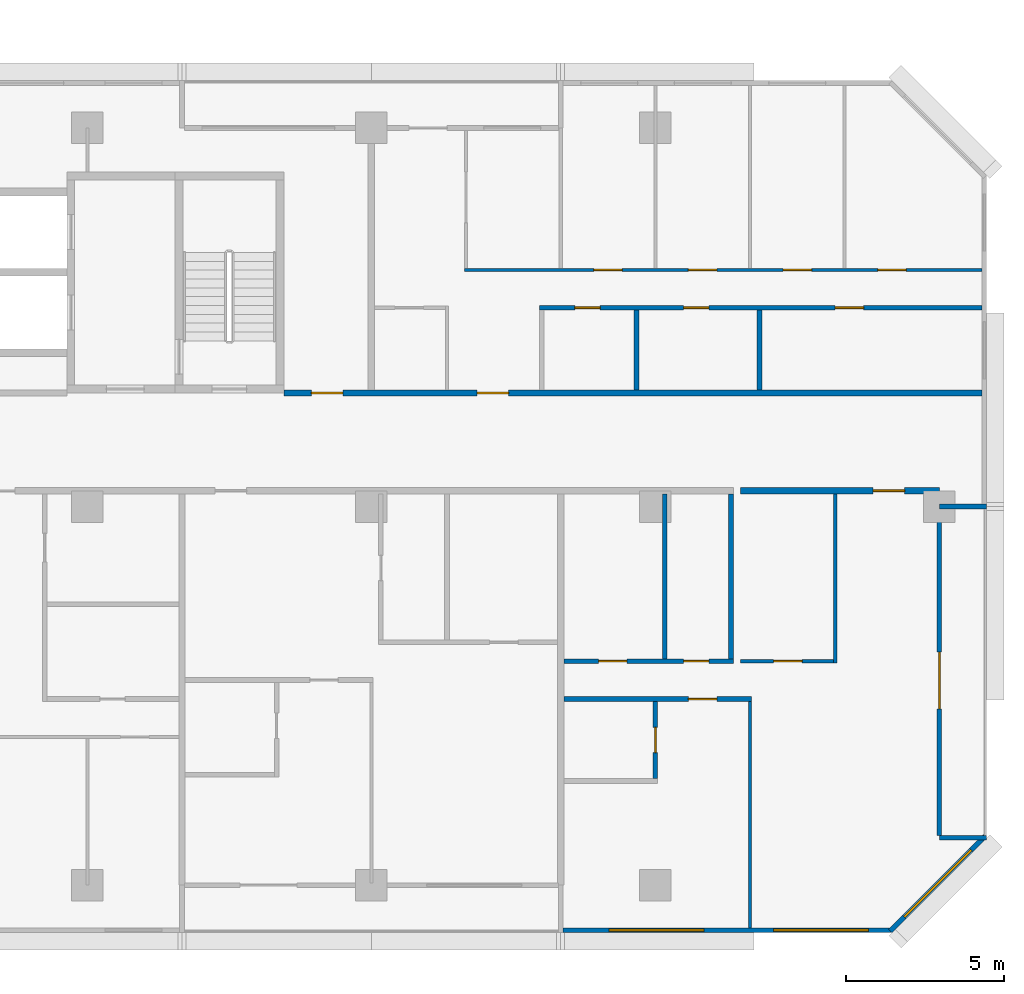
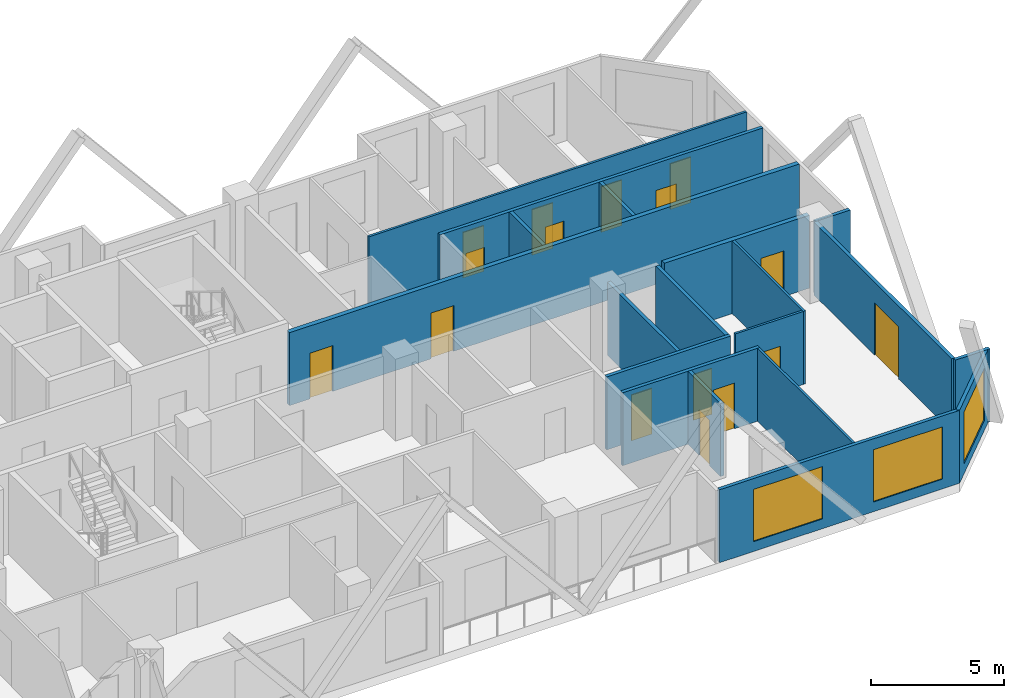
# One storey, part 11 of 14: 19 walls, 16 doors, 3 windows, 19 openings.
"""IFC4 building model written with IfcOpenShell, lengths in metres."""

from ifc_helpers import new_model, si_unit, direction, frame, frame_2d, origin, place, context, subcontext, project, spatial, rectangle, extrude, material, layer, layer_set, type_object, element, fill, save


model = new_model("IFC4")

# Units and contexts
model_context = context("Model", 3, precision=1e-05, world=origin(), true_north=direction((0.0, 1.0)))
body_context = subcontext(model_context, "Body", "Model", "MODEL_VIEW")
ifc_project = project(units=[si_unit("LENGTHUNIT", "METRE"), si_unit("AREAUNIT", "SQUARE_METRE"), si_unit("VOLUMEUNIT", "CUBIC_METRE"), si_unit("PLANEANGLEUNIT", "RADIAN"), si_unit("MASSUNIT", "GRAM", prefix="KILO")], contexts=[model_context])

# Site, building, storey
site_placement = place(None, origin())
site = spatial("IfcSite", under=ifc_project, at=site_placement, CompositionType="ELEMENT")
building_placement = place(site_placement, origin())
building = spatial("IfcBuilding", under=site, at=building_placement, Name="Chenar Terraces", CompositionType="ELEMENT")
storey_placement = place(building_placement, frame((0.0, 0.0, 91.89990234375)))
storey = spatial("IfcBuildingStorey", under=building, at=storey_placement, Name="L20", CompositionType="ELEMENT", Elevation=91.89990234375)

# Wall, openings, doors
ifc_material_1 = material(Name="Gypsum board on steel studs with fire boards", Category="steel")
ifc_layer_1 = layer(ifc_material_1, 0.199951171875)
ifc_layer_set_1 = layer_set([ifc_layer_1], Name="Gypsum board on steel studs with fire boards")
wall_type_1 = type_object("IfcWallType", Name="Corridor wall 200", PredefinedType="PARTITIONING", material=ifc_layer_set_1)
wall_1_placement = place(storey_placement, frame((51.22509765625, 15.60009765625, 0.0), z_axis=(0.0, 0.0, 1.0), x_axis=(1.0, 0.0, 0.0)))
wall_1 = element("IfcWall", 1, at=wall_1_placement, inside=storey, type_object=wall_type_1, Name="Partition L20-081", PredefinedType="PARTITIONING", context=body_context, shape_type="SweptSolid", body=[
    extrude(rectangle(XDim=22.125, YDim=0.199951171875, at=frame_2d((11.0625, 0.0))), origin(), (0.0, 0.0, 1.0), 3.35009765625),
])
opening_1_placement = place(wall_1_placement, frame((6.125, 0.0, 0.0)))
opening_1 = element("IfcOpeningElement", 2, at=opening_1_placement, cuts=wall_1, Name="Opening DL20-9", PredefinedType="OPENING", context=body_context, shape_type="SweptSolid", body=[
    extrude(rectangle(XDim=1.0, YDim=2.10009765625, at=frame_2d((0.5, 1.050048828125))), frame((0.0, 0.10986328125, 0.0), z_axis=(0.0, -1.0, 0.0), x_axis=(1.0, 0.0, 0.0)), (0.0, 0.0, 1.0), 0.219970703125),
])
opening_2_placement = place(wall_1_placement, frame((0.875, 0.0, 0.0)))
opening_2 = element("IfcOpeningElement", 3, at=opening_2_placement, cuts=wall_1, Name="Opening DL20-52", PredefinedType="OPENING", context=body_context, shape_type="SweptSolid", body=[
    extrude(rectangle(XDim=1.0, YDim=2.10009765625, at=frame_2d((0.5, 1.050048828125))), frame((0.0, 0.10986328125, 0.0), z_axis=(0.0, -1.0, 0.0), x_axis=(1.0, 0.0, 0.0)), (0.0, 0.0, 1.0), 0.219970703125),
])
ifc_material_2 = material(Name="Steel-framed fire-resisting door leaf", Category="steel")
door_type_1 = type_object("IfcDoorType", Name="Fire door FD30S 1000 x 2100", OperationType="SINGLE_SWING_LEFT", PredefinedType="DOOR", material=ifc_material_2)
door_1_placement = place(opening_1_placement, origin())
door_1 = element("IfcDoor", 4, at=door_1_placement, inside=storey, type_object=door_type_1, Name="Door DL20-9", OperationType="SINGLE_SWING_LEFT", OverallHeight=2.10009765625, OverallWidth=1.0, PredefinedType="DOOR", context=body_context, shape_type="SweptSolid", body=[
    extrude(rectangle(XDim=1.0, YDim=2.10009765625, at=frame_2d((0.5, 1.050048828125))), frame((0.0, 0.02490234375, 0.0), z_axis=(0.0, -1.0, 0.0), x_axis=(1.0, 0.0, 0.0)), (0.0, 0.0, 1.0), 0.050048828125),
])
fill(opening_1, door_1)
door_2_placement = place(opening_2_placement, origin())
door_2 = element("IfcDoor", 5, at=door_2_placement, inside=storey, type_object=door_type_1, Name="Door DL20-52", OperationType="SINGLE_SWING_RIGHT", OverallHeight=2.10009765625, OverallWidth=1.0, PredefinedType="DOOR", context=body_context, shape_type="SweptSolid", body=[
    extrude(rectangle(XDim=1.0, YDim=2.10009765625, at=frame_2d((0.5, 1.050048828125))), frame((0.0, 0.02490234375, 0.0), z_axis=(0.0, -1.0, 0.0), x_axis=(1.0, 0.0, 0.0)), (0.0, 0.0, 1.0), 0.050048828125),
])
fill(opening_2, door_2)

# Wall, opening, door
wall_2_placement = place(storey_placement, frame((65.699951171875, 12.5, 0.0), z_axis=(0.0, 0.0, 1.0), x_axis=(1.0, 0.0, 0.0)))
wall_2 = element("IfcWall", 6, at=wall_2_placement, inside=storey, type_object=wall_type_1, Name="Partition L20-104", PredefinedType="PARTITIONING", context=body_context, shape_type="SweptSolid", body=[
    extrude(rectangle(XDim=6.300048828125, YDim=0.199951171875, at=frame_2d((3.14990234375, 0.0))), origin(), (0.0, 0.0, 1.0), 3.35009765625),
])
opening_3_placement = place(wall_2_placement, frame((4.199951171875, 0.0, 0.0)))
opening_3 = element("IfcOpeningElement", 7, at=opening_3_placement, cuts=wall_2, Name="Opening DL20-23", PredefinedType="OPENING", context=body_context, shape_type="SweptSolid", body=[
    extrude(rectangle(XDim=1.0, YDim=2.10009765625, at=frame_2d((0.5, 1.050048828125))), frame((0.0, 0.10986328125, 0.0), z_axis=(0.0, -1.0, 0.0), x_axis=(1.0, 0.0, 0.0)), (0.0, 0.0, 1.0), 0.219970703125),
])
door_3_placement = place(opening_3_placement, frame((1.0, 0.0, 0.0), z_axis=(0.0, 0.0, 1.0), x_axis=(-1.0, 0.0, 0.0)))
door_3 = element("IfcDoor", 8, at=door_3_placement, inside=storey, type_object=door_type_1, Name="Door DL20-23", OperationType="SINGLE_SWING_LEFT", OverallHeight=2.10009765625, OverallWidth=1.0, PredefinedType="DOOR", context=body_context, shape_type="SweptSolid", body=[
    extrude(rectangle(XDim=1.0, YDim=2.10009765625, at=frame_2d((0.5, 1.050048828125))), frame((0.0, 0.02490234375, 0.0), z_axis=(0.0, -1.0, 0.0), x_axis=(1.0, 0.0, 0.0)), (0.0, 0.0, 1.0), 0.050048828125),
])
fill(opening_3, door_3)

# Wall, openings, windows
ifc_material_3 = material(Name="Aluminium framed glazing", Category="aluminium")
ifc_layer_2 = layer(ifc_material_3, 0.14990234375)
ifc_layer_set_2 = layer_set([ifc_layer_2], Name="Aluminium framed glazing")
wall_type_2 = type_object("IfcWallType", Name="Glazed flush facade wall 150", PredefinedType="SOLIDWALL", material=ifc_layer_set_2)
wall_3_placement = place(storey_placement, frame((60.074951171875, -1.425048828125, 0.0), z_axis=(0.0, 0.0, 1.0), x_axis=(1.0, 0.0, 0.0)))
wall_3 = element("IfcWall", 9, at=wall_3_placement, inside=storey, type_object=wall_type_2, Name="Glazed flush facade wall", PredefinedType="SOLIDWALL", context=body_context, shape_type="SweptSolid", body=[
    extrude(rectangle(XDim=10.425048828125, YDim=0.14990234375, at=frame_2d((5.21240234375, 0.0))), origin(), (0.0, 0.0, 1.0), 3.35009765625),
])
opening_4_placement = place(wall_3_placement, frame((1.46240234375, 0.0, 0.449951171875)))
opening_4 = element("IfcOpeningElement", 10, at=opening_4_placement, cuts=wall_3, Name="Opening W300x240", PredefinedType="OPENING", context=body_context, shape_type="SweptSolid", body=[
    extrude(rectangle(XDim=3.0, YDim=2.39990234375, at=frame_2d((1.5, 1.199951171875))), frame((0.0, 0.0849609375, 0.0), z_axis=(0.0, -1.0, 0.0), x_axis=(1.0, 0.0, 0.0)), (0.0, 0.0, 1.0), 0.169921875),
])
opening_5_placement = place(wall_3_placement, frame((6.675048828125, 0.0, 0.449951171875)))
opening_5 = element("IfcOpeningElement", 11, at=opening_5_placement, cuts=wall_3, Name="Opening W300x240", PredefinedType="OPENING", context=body_context, shape_type="SweptSolid", body=[
    extrude(rectangle(XDim=3.0, YDim=2.39990234375, at=frame_2d((1.5, 1.199951171875))), frame((0.0, 0.0849609375, 0.0), z_axis=(0.0, -1.0, 0.0), x_axis=(1.0, 0.0, 0.0)), (0.0, 0.0, 1.0), 0.169921875),
])
ifc_material_4 = material(Name="Low emissivity double glazing, aluminium frame", Category="aluminium")
window_type = type_object("IfcWindowType", Name="Fixed light 3000 x 2400", PartitioningType="SINGLE_PANEL", PredefinedType="WINDOW", material=ifc_material_4)
window_1_placement = place(opening_4_placement, origin())
window_1 = element("IfcWindow", 12, at=window_1_placement, inside=storey, type_object=window_type, Name="Window", OverallHeight=2.39990234375, OverallWidth=3.0, PartitioningType="SINGLE_PANEL", PredefinedType="WINDOW", context=body_context, shape_type="SweptSolid", body=[
    extrude(rectangle(XDim=3.0, YDim=2.39990234375, at=frame_2d((1.5, 1.199951171875))), frame((0.0, 0.030029296875, 0.0), z_axis=(0.0, -1.0, 0.0), x_axis=(1.0, 0.0, 0.0)), (0.0, 0.0, 1.0), 0.06005859375),
])
fill(opening_4, window_1)
window_2_placement = place(opening_5_placement, origin())
window_2 = element("IfcWindow", 13, at=window_2_placement, inside=storey, type_object=window_type, Name="Window", OverallHeight=2.39990234375, OverallWidth=3.0, PartitioningType="SINGLE_PANEL", PredefinedType="WINDOW", context=body_context, shape_type="SweptSolid", body=[
    extrude(rectangle(XDim=3.0, YDim=2.39990234375, at=frame_2d((1.5, 1.199951171875))), frame((0.0, 0.030029296875, 0.0), z_axis=(0.0, -1.0, 0.0), x_axis=(1.0, 0.0, 0.0)), (0.0, 0.0, 1.0), 0.06005859375),
])
fill(opening_5, window_2)

# Wall, opening, door
ifc_material_5 = material(Name="Aluminium framed glazing", Category="aluminium")
ifc_layer_3 = layer(ifc_material_5, 0.14990234375)
ifc_layer_set_3 = layer_set([ifc_layer_3], Name="Aluminium framed glazing")
wall_type_3 = type_object("IfcWallType", Name="Glazed loggia back wall 150", PredefinedType="SOLIDWALL", material=ifc_layer_set_3)
wall_4_placement = place(storey_placement, frame((72.0, 1.574951171875, 0.0), z_axis=(0.0, 0.0, 1.0), x_axis=(0.0, 1.0, 0.0)))
wall_4 = element("IfcWall", 14, at=wall_4_placement, inside=storey, type_object=wall_type_3, Name="Glazed loggia back wall", PredefinedType="SOLIDWALL", context=body_context, shape_type="SweptSolid", body=[
    extrude(rectangle(XDim=10.35009765625, YDim=0.14990234375, at=frame_2d((5.175048828125, 0.0))), origin(), (0.0, 0.0, 1.0), 3.35009765625),
])
opening_6_placement = place(wall_4_placement, frame((4.012451171875, 0.0, 0.0)))
opening_6 = element("IfcOpeningElement", 15, at=opening_6_placement, cuts=wall_4, Name="Opening DL20-G8", PredefinedType="OPENING", context=body_context, shape_type="SweptSolid", body=[
    extrude(rectangle(XDim=1.800048828125, YDim=2.39990234375, at=frame_2d((0.89990234375, 1.199951171875))), frame((0.0, 0.0849609375, 0.0), z_axis=(0.0, -1.0, 0.0), x_axis=(1.0, 0.0, 0.0)), (0.0, 0.0, 1.0), 0.169921875),
])
ifc_material_6 = material(Name="Low emissivity double glazing, aluminium frame", Category="aluminium")
door_type_2 = type_object("IfcDoorType", Name="Loggia glazed double door 1800 x 2400", OperationType="DOUBLE_DOOR_SINGLE_SWING", PredefinedType="DOOR", material=ifc_material_6)
door_4_placement = place(opening_6_placement, frame((1.800048828125, 0.0, 0.0), z_axis=(0.0, 0.0, 1.0), x_axis=(-1.0, 0.0, 0.0)))
door_4 = element("IfcDoor", 16, at=door_4_placement, inside=storey, type_object=door_type_2, Name="Loggia glazed door", OperationType="DOUBLE_DOOR_SINGLE_SWING", OverallHeight=2.39990234375, OverallWidth=1.800048828125, PredefinedType="DOOR", context=body_context, shape_type="SweptSolid", body=[
    extrude(rectangle(XDim=1.800048828125, YDim=2.39990234375, at=frame_2d((0.89990234375, 1.199951171875))), frame((0.0, 0.02490234375, 0.0), z_axis=(0.0, -1.0, 0.0), x_axis=(1.0, 0.0, 0.0)), (0.0, 0.0, 1.0), 0.050048828125),
])
fill(opening_6, door_4)

# Wall, openings, doors
ifc_material_7 = material(Name="Gypsum board on steel studs", Category="steel")
ifc_layer_4 = layer(ifc_material_7, 0.10009765625)
ifc_layer_set_4 = layer_set([ifc_layer_4], Name="Gypsum board on steel studs")
wall_type_4 = type_object("IfcWallType", Name="Gypsum partition 100", PredefinedType="PARTITIONING", material=ifc_layer_set_4)
wall_5_placement = place(storey_placement, frame((56.949951171875, 19.5, 0.0), z_axis=(0.0, 0.0, 1.0), x_axis=(1.0, 0.0, 0.0)))
wall_5 = element("IfcWall", 17, at=wall_5_placement, inside=storey, type_object=wall_type_4, Name="Partition L20-089", PredefinedType="PARTITIONING", context=body_context, shape_type="SweptSolid", body=[
    extrude(rectangle(XDim=16.400146484375, YDim=0.10009765625, at=frame_2d((8.2001953125, 0.0))), origin(), (0.0, 0.0, 1.0), 3.35009765625),
])
opening_7_placement = place(wall_5_placement, frame((4.10009765625, 0.0, 0.0)))
opening_7 = element("IfcOpeningElement", 18, at=opening_7_placement, cuts=wall_5, Name="Opening DL20-5", PredefinedType="OPENING", context=body_context, shape_type="SweptSolid", body=[
    extrude(rectangle(XDim=0.89990234375, YDim=2.10009765625, at=frame_2d((0.449951171875, 1.050048828125))), frame((0.0, 0.06005859375, 0.0), z_axis=(0.0, -1.0, 0.0), x_axis=(1.0, 0.0, 0.0)), (0.0, 0.0, 1.0), 0.1201171875),
])
opening_8_placement = place(wall_5_placement, frame((7.10009765625, 0.0, 0.0)))
opening_8 = element("IfcOpeningElement", 19, at=opening_8_placement, cuts=wall_5, Name="Opening DL20-6", PredefinedType="OPENING", context=body_context, shape_type="SweptSolid", body=[
    extrude(rectangle(XDim=0.89990234375, YDim=2.10009765625, at=frame_2d((0.449951171875, 1.050048828125))), frame((0.0, 0.06005859375, 0.0), z_axis=(0.0, -1.0, 0.0), x_axis=(1.0, 0.0, 0.0)), (0.0, 0.0, 1.0), 0.1201171875),
])
opening_9_placement = place(wall_5_placement, frame((10.10009765625, 0.0, 0.0)))
opening_9 = element("IfcOpeningElement", 20, at=opening_9_placement, cuts=wall_5, Name="Opening DL20-7", PredefinedType="OPENING", context=body_context, shape_type="SweptSolid", body=[
    extrude(rectangle(XDim=0.89990234375, YDim=2.10009765625, at=frame_2d((0.449951171875, 1.050048828125))), frame((0.0, 0.06005859375, 0.0), z_axis=(0.0, -1.0, 0.0), x_axis=(1.0, 0.0, 0.0)), (0.0, 0.0, 1.0), 0.1201171875),
])
opening_10_placement = place(wall_5_placement, frame((13.10009765625, 0.0, 0.0)))
opening_10 = element("IfcOpeningElement", 21, at=opening_10_placement, cuts=wall_5, Name="Opening DL20-12", PredefinedType="OPENING", context=body_context, shape_type="SweptSolid", body=[
    extrude(rectangle(XDim=0.89990234375, YDim=2.10009765625, at=frame_2d((0.449951171875, 1.050048828125))), frame((0.0, 0.06005859375, 0.0), z_axis=(0.0, -1.0, 0.0), x_axis=(1.0, 0.0, 0.0)), (0.0, 0.0, 1.0), 0.1201171875),
])
ifc_material_8 = material(Name="Veneered timber door leaf", Category="wood")
door_type_3 = type_object("IfcDoorType", Name="Door 900 x 2100", OperationType="SINGLE_SWING_LEFT", PredefinedType="DOOR", material=ifc_material_8)
door_5_placement = place(opening_7_placement, origin())
door_5 = element("IfcDoor", 22, at=door_5_placement, inside=storey, type_object=door_type_3, Name="Door DL20-5", OperationType="SINGLE_SWING_LEFT", OverallHeight=2.10009765625, OverallWidth=0.89990234375, PredefinedType="DOOR", context=body_context, shape_type="SweptSolid", body=[
    extrude(rectangle(XDim=0.89990234375, YDim=2.10009765625, at=frame_2d((0.449951171875, 1.050048828125))), frame((0.0, 0.02490234375, 0.0), z_axis=(0.0, -1.0, 0.0), x_axis=(1.0, 0.0, 0.0)), (0.0, 0.0, 1.0), 0.050048828125),
])
fill(opening_7, door_5)
door_6_placement = place(opening_8_placement, origin())
door_6 = element("IfcDoor", 23, at=door_6_placement, inside=storey, type_object=door_type_3, Name="Door DL20-6", OperationType="SINGLE_SWING_LEFT", OverallHeight=2.10009765625, OverallWidth=0.89990234375, PredefinedType="DOOR", context=body_context, shape_type="SweptSolid", body=[
    extrude(rectangle(XDim=0.89990234375, YDim=2.10009765625, at=frame_2d((0.449951171875, 1.050048828125))), frame((0.0, 0.02490234375, 0.0), z_axis=(0.0, -1.0, 0.0), x_axis=(1.0, 0.0, 0.0)), (0.0, 0.0, 1.0), 0.050048828125),
])
fill(opening_8, door_6)
door_7_placement = place(opening_9_placement, origin())
door_7 = element("IfcDoor", 24, at=door_7_placement, inside=storey, type_object=door_type_3, Name="Door DL20-7", OperationType="SINGLE_SWING_LEFT", OverallHeight=2.10009765625, OverallWidth=0.89990234375, PredefinedType="DOOR", context=body_context, shape_type="SweptSolid", body=[
    extrude(rectangle(XDim=0.89990234375, YDim=2.10009765625, at=frame_2d((0.449951171875, 1.050048828125))), frame((0.0, 0.02490234375, 0.0), z_axis=(0.0, -1.0, 0.0), x_axis=(1.0, 0.0, 0.0)), (0.0, 0.0, 1.0), 0.050048828125),
])
fill(opening_9, door_7)
door_8_placement = place(opening_10_placement, origin())
door_8 = element("IfcDoor", 25, at=door_8_placement, inside=storey, type_object=door_type_3, Name="Door DL20-12", OperationType="SINGLE_SWING_LEFT", OverallHeight=2.10009765625, OverallWidth=0.89990234375, PredefinedType="DOOR", context=body_context, shape_type="SweptSolid", body=[
    extrude(rectangle(XDim=0.89990234375, YDim=2.10009765625, at=frame_2d((0.449951171875, 1.050048828125))), frame((0.0, 0.02490234375, 0.0), z_axis=(0.0, -1.0, 0.0), x_axis=(1.0, 0.0, 0.0)), (0.0, 0.0, 1.0), 0.050048828125),
])
fill(opening_10, door_8)

# Wall, opening, door
wall_6_placement = place(storey_placement, frame((65.699951171875, 7.10009765625, 0.0), z_axis=(0.0, 0.0, 1.0), x_axis=(1.0, 0.0, 0.0)))
wall_6 = element("IfcWall", 26, at=wall_6_placement, inside=storey, type_object=wall_type_4, Name="Partition L20-103", PredefinedType="PARTITIONING", context=body_context, shape_type="SweptSolid", body=[
    extrude(rectangle(XDim=2.949951171875, YDim=0.10009765625, at=frame_2d((1.47509765625, 0.0))), origin(), (0.0, 0.0, 1.0), 3.35009765625),
])
opening_11_placement = place(wall_6_placement, frame((1.050048828125, 0.0, 0.0)))
opening_11 = element("IfcOpeningElement", 27, at=opening_11_placement, cuts=wall_6, Name="Opening DL20-24", PredefinedType="OPENING", context=body_context, shape_type="SweptSolid", body=[
    extrude(rectangle(XDim=0.89990234375, YDim=2.10009765625, at=frame_2d((0.449951171875, 1.050048828125))), frame((0.0, 0.06005859375, 0.0), z_axis=(0.0, -1.0, 0.0), x_axis=(1.0, 0.0, 0.0)), (0.0, 0.0, 1.0), 0.1201171875),
])
door_9_placement = place(opening_11_placement, origin())
door_9 = element("IfcDoor", 28, at=door_9_placement, inside=storey, type_object=door_type_3, Name="Door DL20-24", OperationType="SINGLE_SWING_RIGHT", OverallHeight=2.10009765625, OverallWidth=0.89990234375, PredefinedType="DOOR", context=body_context, shape_type="SweptSolid", body=[
    extrude(rectangle(XDim=0.89990234375, YDim=2.10009765625, at=frame_2d((0.449951171875, 1.050048828125))), frame((0.0, 0.02490234375, 0.0), z_axis=(0.0, -1.0, 0.0), x_axis=(1.0, 0.0, 0.0)), (0.0, 0.0, 1.0), 0.050048828125),
])
fill(opening_11, door_9)

# Walls
wall_7_placement = place(storey_placement, frame((66.0, -1.35009765625, 0.0), z_axis=(0.0, 0.0, 1.0), x_axis=(0.0, 1.0, 0.0)))
element("IfcWall", 29, at=wall_7_placement, inside=storey, type_object=wall_type_4, Name="Partition L20-105", PredefinedType="PARTITIONING", context=body_context, shape_type="SweptSolid", body=[
    extrude(rectangle(XDim=7.175048828125, YDim=0.10009765625, at=frame_2d((3.58740234375, 0.0))), origin(), (0.0, 0.0, 1.0), 3.35009765625),
])
wall_8_placement = place(storey_placement, frame((68.699951171875, 7.050048828125, 0.0), z_axis=(0.0, 0.0, 1.0), x_axis=(0.0, 1.0, 0.0)))
element("IfcWall", 30, at=wall_8_placement, inside=storey, type_object=wall_type_4, Name="Partition L20-108", PredefinedType="PARTITIONING", context=body_context, shape_type="SweptSolid", body=[
    extrude(rectangle(XDim=5.349853515625, YDim=0.10009765625, at=frame_2d((2.6748046875, 0.0))), origin(), (0.0, 0.0, 1.0), 3.35009765625),
])
ifc_material_9 = material(Name="Terracotta cladding on insulated backing", Category="masonry")
ifc_layer_5 = layer(ifc_material_9, 0.14990234375)
ifc_layer_set_5 = layer_set([ifc_layer_5], Name="Terracotta cladding on insulated backing")
wall_type_5 = type_object("IfcWallType", Name="Loggia return wall 150", PredefinedType="SOLIDWALL", material=ifc_layer_set_5)
for number, where, z_axis, x_axis, name in (
    (31, (73.5, 1.5, 0.0), (0.0, 0.0, 1.0), (-1.0, 0.0, 0.0), "Loggia return wall"),
    (32, (73.5, 12.0, 0.0), (0.0, 0.0, 1.0), (-1.0, 0.0, 0.0), "Loggia return wall"),
):
    element("IfcWall", number, at=place(storey_placement, frame(where, z_axis=z_axis, x_axis=x_axis)), inside=storey, type_object=wall_type_5, Name=name, PredefinedType="SOLIDWALL", context=body_context, shape_type="SweptSolid", body=[
        extrude(rectangle(XDim=1.5, YDim=0.14990234375, at=frame_2d((0.75, 0.0))), origin(), (0.0, 0.0, 1.0), 3.35009765625),
    ])

# Wall, opening, window
ifc_material_10 = material(Name="Terracotta cladding on insulated backing", Category="masonry")
ifc_layer_6 = layer(ifc_material_10, 0.14990234375)
ifc_layer_set_6 = layer_set([ifc_layer_6], Name="Terracotta cladding on insulated backing")
wall_type_6 = type_object("IfcWallType", Name="Terracotta rainscreen wall 150", PredefinedType="SOLIDWALL", material=ifc_layer_set_6)
wall_9_placement = place(storey_placement, frame((70.447021484375, -1.447021484375, 0.0), z_axis=(0.0, 0.0, 1.0), x_axis=(0.707106781187, 0.707106781187, 0.0)))
wall_9 = element("IfcWall", 33, at=wall_9_placement, inside=storey, type_object=wall_type_6, Name="Terracotta rainscreen wall", PredefinedType="SOLIDWALL", context=body_context, shape_type="SweptSolid", body=[
    extrude(rectangle(XDim=4.24267578125, YDim=0.14990234375, at=frame_2d((2.121337890625, 0.0))), origin(), (0.0, 0.0, 1.0), 3.35009765625),
])
opening_12_placement = place(wall_9_placement, frame((0.621337890625, 0.0, 0.449951171875)))
opening_12 = element("IfcOpeningElement", 34, at=opening_12_placement, cuts=wall_9, Name="Opening W300x240", PredefinedType="OPENING", context=body_context, shape_type="SweptSolid", body=[
    extrude(rectangle(XDim=3.0, YDim=2.39990234375, at=frame_2d((1.5, 1.199951171875))), frame((0.0, 0.0849609375, 0.0), z_axis=(0.0, -1.0, 0.0), x_axis=(1.0, 0.0, 0.0)), (0.0, 0.0, 1.0), 0.169921875),
])
window_3_placement = place(opening_12_placement, origin())
window_3 = element("IfcWindow", 35, at=window_3_placement, inside=storey, type_object=window_type, Name="Window", OverallHeight=2.39990234375, OverallWidth=3.0, PartitioningType="SINGLE_PANEL", PredefinedType="WINDOW", context=body_context, shape_type="SweptSolid", body=[
    extrude(rectangle(XDim=3.0, YDim=2.39990234375, at=frame_2d((1.5, 1.199951171875))), frame((0.0, 0.030029296875, 0.0), z_axis=(0.0, -1.0, 0.0), x_axis=(1.0, 0.0, 0.0)), (0.0, 0.0, 1.0), 0.06005859375),
])
fill(opening_12, window_3)

# Wall, openings, doors
ifc_material_11 = material(Name="Moisture-resistant gypsum board on steel studs", Category="steel")
ifc_layer_7 = layer(ifc_material_11, 0.14990234375)
ifc_layer_set_7 = layer_set([ifc_layer_7], Name="Moisture-resistant gypsum board on steel studs")
wall_type_7 = type_object("IfcWallType", Name="Wet-room partition 150", PredefinedType="PARTITIONING", material=ifc_layer_set_7)
wall_10_placement = place(storey_placement, frame((59.324951171875, 18.300048828125, 0.0), z_axis=(0.0, 0.0, 1.0), x_axis=(1.0, 0.0, 0.0)))
wall_10 = element("IfcWall", 36, at=wall_10_placement, inside=storey, type_object=wall_type_7, Name="Partition L20-091", PredefinedType="PARTITIONING", context=body_context, shape_type="SweptSolid", body=[
    extrude(rectangle(XDim=14.025146484375, YDim=0.14990234375, at=frame_2d((7.0126953125, 0.0))), origin(), (0.0, 0.0, 1.0), 3.35009765625),
])
opening_13_placement = place(wall_10_placement, frame((4.574951171875, 0.0, 0.0)))
opening_13 = element("IfcOpeningElement", 37, at=opening_13_placement, cuts=wall_10, Name="Opening DL20-4", PredefinedType="OPENING", context=body_context, shape_type="SweptSolid", body=[
    extrude(rectangle(XDim=0.800048828125, YDim=2.10009765625, at=frame_2d((0.39990234375, 1.050048828125))), frame((0.0, 0.0849609375, 0.0), z_axis=(0.0, -1.0, 0.0), x_axis=(1.0, 0.0, 0.0)), (0.0, 0.0, 1.0), 0.169921875),
])
opening_14_placement = place(wall_10_placement, frame((9.375, 0.0, 0.0)))
opening_14 = element("IfcOpeningElement", 38, at=opening_14_placement, cuts=wall_10, Name="Opening DL20-8", PredefinedType="OPENING", context=body_context, shape_type="SweptSolid", body=[
    extrude(rectangle(XDim=0.89990234375, YDim=2.10009765625, at=frame_2d((0.449951171875, 1.050048828125))), frame((0.0, 0.0849609375, 0.0), z_axis=(0.0, -1.0, 0.0), x_axis=(1.0, 0.0, 0.0)), (0.0, 0.0, 1.0), 0.169921875),
])
opening_15_placement = place(wall_10_placement, frame((1.125, 0.0, 0.0)))
opening_15 = element("IfcOpeningElement", 39, at=opening_15_placement, cuts=wall_10, Name="Opening DL20-13", PredefinedType="OPENING", context=body_context, shape_type="SweptSolid", body=[
    extrude(rectangle(XDim=0.800048828125, YDim=2.10009765625, at=frame_2d((0.39990234375, 1.050048828125))), frame((0.0, 0.0849609375, 0.0), z_axis=(0.0, -1.0, 0.0), x_axis=(1.0, 0.0, 0.0)), (0.0, 0.0, 1.0), 0.169921875),
])
ifc_material_12 = material(Name="Veneered timber door leaf", Category="wood")
door_type_4 = type_object("IfcDoorType", Name="Door 800 x 2100", OperationType="SINGLE_SWING_LEFT", PredefinedType="DOOR", material=ifc_material_12)
door_10_placement = place(opening_13_placement, frame((0.800048828125, 0.0, 0.0), z_axis=(0.0, 0.0, 1.0), x_axis=(-1.0, 0.0, 0.0)))
door_10 = element("IfcDoor", 40, at=door_10_placement, inside=storey, type_object=door_type_4, Name="Door DL20-4", OperationType="SINGLE_SWING_RIGHT", OverallHeight=2.10009765625, OverallWidth=0.800048828125, PredefinedType="DOOR", context=body_context, shape_type="SweptSolid", body=[
    extrude(rectangle(XDim=0.800048828125, YDim=2.10009765625, at=frame_2d((0.39990234375, 1.050048828125))), frame((0.0, 0.02490234375, 0.0), z_axis=(0.0, -1.0, 0.0), x_axis=(1.0, 0.0, 0.0)), (0.0, 0.0, 1.0), 0.050048828125),
])
fill(opening_13, door_10)
door_11_placement = place(opening_15_placement, frame((0.800048828125, 0.0, 0.0), z_axis=(0.0, 0.0, 1.0), x_axis=(-1.0, 0.0, 0.0)))
door_11 = element("IfcDoor", 41, at=door_11_placement, inside=storey, type_object=door_type_4, Name="Door DL20-13", OperationType="SINGLE_SWING_RIGHT", OverallHeight=2.10009765625, OverallWidth=0.800048828125, PredefinedType="DOOR", context=body_context, shape_type="SweptSolid", body=[
    extrude(rectangle(XDim=0.800048828125, YDim=2.10009765625, at=frame_2d((0.39990234375, 1.050048828125))), frame((0.0, 0.02490234375, 0.0), z_axis=(0.0, -1.0, 0.0), x_axis=(1.0, 0.0, 0.0)), (0.0, 0.0, 1.0), 0.050048828125),
])
fill(opening_15, door_11)
door_12_placement = place(opening_14_placement, frame((0.89990234375, 0.0, 0.0), z_axis=(0.0, 0.0, 1.0), x_axis=(-1.0, 0.0, 0.0)))
door_12 = element("IfcDoor", 42, at=door_12_placement, inside=storey, type_object=door_type_3, Name="Door DL20-8", OperationType="SINGLE_SWING_LEFT", OverallHeight=2.10009765625, OverallWidth=0.89990234375, PredefinedType="DOOR", context=body_context, shape_type="SweptSolid", body=[
    extrude(rectangle(XDim=0.89990234375, YDim=2.10009765625, at=frame_2d((0.449951171875, 1.050048828125))), frame((0.0, 0.02490234375, 0.0), z_axis=(0.0, -1.0, 0.0), x_axis=(1.0, 0.0, 0.0)), (0.0, 0.0, 1.0), 0.050048828125),
])
fill(opening_14, door_12)

# Wall, opening, door
wall_11_placement = place(storey_placement, frame((60.10009765625, 5.89990234375, 0.0), z_axis=(0.0, 0.0, 1.0), x_axis=(1.0, 0.0, 0.0)))
wall_11 = element("IfcWall", 43, at=wall_11_placement, inside=storey, type_object=wall_type_7, Name="Partition L20-096", PredefinedType="PARTITIONING", context=body_context, shape_type="SweptSolid", body=[
    extrude(rectangle(XDim=5.949951171875, YDim=0.14990234375, at=frame_2d((2.97509765625, 0.0))), origin(), (0.0, 0.0, 1.0), 3.35009765625),
])
opening_16_placement = place(wall_11_placement, frame((3.949951171875, 0.0, 0.0)))
opening_16 = element("IfcOpeningElement", 44, at=opening_16_placement, cuts=wall_11, Name="Opening DL20-20", PredefinedType="OPENING", context=body_context, shape_type="SweptSolid", body=[
    extrude(rectangle(XDim=0.89990234375, YDim=2.10009765625, at=frame_2d((0.449951171875, 1.050048828125))), frame((0.0, 0.0849609375, 0.0), z_axis=(0.0, -1.0, 0.0), x_axis=(1.0, 0.0, 0.0)), (0.0, 0.0, 1.0), 0.169921875),
])
door_13_placement = place(opening_16_placement, frame((0.89990234375, 0.0, 0.0), z_axis=(0.0, 0.0, 1.0), x_axis=(-1.0, 0.0, 0.0)))
door_13 = element("IfcDoor", 45, at=door_13_placement, inside=storey, type_object=door_type_3, Name="Door DL20-20", OperationType="SINGLE_SWING_LEFT", OverallHeight=2.10009765625, OverallWidth=0.89990234375, PredefinedType="DOOR", context=body_context, shape_type="SweptSolid", body=[
    extrude(rectangle(XDim=0.89990234375, YDim=2.10009765625, at=frame_2d((0.449951171875, 1.050048828125))), frame((0.0, 0.02490234375, 0.0), z_axis=(0.0, -1.0, 0.0), x_axis=(1.0, 0.0, 0.0)), (0.0, 0.0, 1.0), 0.050048828125),
])
fill(opening_16, door_13)

# Wall, openings, doors
wall_12_placement = place(storey_placement, frame((60.10009765625, 7.10009765625, 0.0), z_axis=(0.0, 0.0, 1.0), x_axis=(1.0, 0.0, 0.0)))
wall_12 = element("IfcWall", 46, at=wall_12_placement, inside=storey, type_object=wall_type_7, Name="Partition L20-097", PredefinedType="PARTITIONING", context=body_context, shape_type="SweptSolid", body=[
    extrude(rectangle(XDim=5.375, YDim=0.14990234375, at=frame_2d((2.6875, 0.0))), origin(), (0.0, 0.0, 1.0), 3.35009765625),
])
opening_17_placement = place(wall_12_placement, frame((3.800048828125, 0.0, 0.0)))
opening_17 = element("IfcOpeningElement", 47, at=opening_17_placement, cuts=wall_12, Name="Opening DL20-19", PredefinedType="OPENING", context=body_context, shape_type="SweptSolid", body=[
    extrude(rectangle(XDim=0.800048828125, YDim=2.10009765625, at=frame_2d((0.39990234375, 1.050048828125))), frame((0.0, 0.0849609375, 0.0), z_axis=(0.0, -1.0, 0.0), x_axis=(1.0, 0.0, 0.0)), (0.0, 0.0, 1.0), 0.169921875),
])
opening_18_placement = place(wall_12_placement, frame((1.10009765625, 0.0, 0.0)))
opening_18 = element("IfcOpeningElement", 48, at=opening_18_placement, cuts=wall_12, Name="Opening DL20-22", PredefinedType="OPENING", context=body_context, shape_type="SweptSolid", body=[
    extrude(rectangle(XDim=0.89990234375, YDim=2.10009765625, at=frame_2d((0.449951171875, 1.050048828125))), frame((0.0, 0.0849609375, 0.0), z_axis=(0.0, -1.0, 0.0), x_axis=(1.0, 0.0, 0.0)), (0.0, 0.0, 1.0), 0.169921875),
])
door_14_placement = place(opening_17_placement, origin())
door_14 = element("IfcDoor", 49, at=door_14_placement, inside=storey, type_object=door_type_4, Name="Door DL20-19", OperationType="SINGLE_SWING_LEFT", OverallHeight=2.10009765625, OverallWidth=0.800048828125, PredefinedType="DOOR", context=body_context, shape_type="SweptSolid", body=[
    extrude(rectangle(XDim=0.800048828125, YDim=2.10009765625, at=frame_2d((0.39990234375, 1.050048828125))), frame((0.0, 0.02490234375, 0.0), z_axis=(0.0, -1.0, 0.0), x_axis=(1.0, 0.0, 0.0)), (0.0, 0.0, 1.0), 0.050048828125),
])
fill(opening_17, door_14)
door_15_placement = place(opening_18_placement, origin())
door_15 = element("IfcDoor", 50, at=door_15_placement, inside=storey, type_object=door_type_3, Name="Door DL20-22", OperationType="SINGLE_SWING_LEFT", OverallHeight=2.10009765625, OverallWidth=0.89990234375, PredefinedType="DOOR", context=body_context, shape_type="SweptSolid", body=[
    extrude(rectangle(XDim=0.89990234375, YDim=2.10009765625, at=frame_2d((0.449951171875, 1.050048828125))), frame((0.0, 0.02490234375, 0.0), z_axis=(0.0, -1.0, 0.0), x_axis=(1.0, 0.0, 0.0)), (0.0, 0.0, 1.0), 0.050048828125),
])
fill(opening_18, door_15)

# Wall
wall_13_placement = place(storey_placement, frame((62.39990234375, 15.699951171875, 0.0), z_axis=(0.0, 0.0, 1.0), x_axis=(0.0, 1.0, 0.0)))
element("IfcWall", 51, at=wall_13_placement, inside=storey, type_object=wall_type_7, Name="Partition L20-098", PredefinedType="PARTITIONING", context=body_context, shape_type="SweptSolid", body=[
    extrude(rectangle(XDim=2.525146484375, YDim=0.14990234375, at=frame_2d((1.2626953125, 0.0))), origin(), (0.0, 0.0, 1.0), 3.35009765625),
])

# Wall, opening, door
wall_14_placement = place(storey_placement, frame((63.0, 3.375, 0.0), z_axis=(0.0, 0.0, 1.0), x_axis=(0.0, 1.0, 0.0)))
wall_14 = element("IfcWall", 52, at=wall_14_placement, inside=storey, type_object=wall_type_7, Name="Partition L20-099", PredefinedType="PARTITIONING", context=body_context, shape_type="SweptSolid", body=[
    extrude(rectangle(XDim=2.449951171875, YDim=0.14990234375, at=frame_2d((1.22509765625, 0.0))), origin(), (0.0, 0.0, 1.0), 3.35009765625),
])
opening_19_placement = place(wall_14_placement, frame((0.824951171875, 0.0, 0.0)))
opening_19 = element("IfcOpeningElement", 53, at=opening_19_placement, cuts=wall_14, Name="Opening DL20-21", PredefinedType="OPENING", context=body_context, shape_type="SweptSolid", body=[
    extrude(rectangle(XDim=0.800048828125, YDim=2.10009765625, at=frame_2d((0.39990234375, 1.050048828125))), frame((0.0, 0.0849609375, 0.0), z_axis=(0.0, -1.0, 0.0), x_axis=(1.0, 0.0, 0.0)), (0.0, 0.0, 1.0), 0.169921875),
])
door_16_placement = place(opening_19_placement, origin())
door_16 = element("IfcDoor", 54, at=door_16_placement, inside=storey, type_object=door_type_4, Name="Door DL20-21", OperationType="SINGLE_SWING_RIGHT", OverallHeight=2.10009765625, OverallWidth=0.800048828125, PredefinedType="DOOR", context=body_context, shape_type="SweptSolid", body=[
    extrude(rectangle(XDim=0.800048828125, YDim=2.10009765625, at=frame_2d((0.39990234375, 1.050048828125))), frame((0.0, 0.02490234375, 0.0), z_axis=(0.0, -1.0, 0.0), x_axis=(1.0, 0.0, 0.0)), (0.0, 0.0, 1.0), 0.050048828125),
])
fill(opening_19, door_16)

# Walls
for number, where, z_axis, x_axis, name in (
    (55, (63.300048828125, 7.175048828125, 0.0), (0.0, 0.0, 1.0), (0.0, 1.0, 0.0), "Partition L20-101"),
    (56, (65.39990234375, 7.175048828125, 0.0), (0.0, 0.0, 1.0), (0.0, 1.0, 0.0), "Partition L20-102"),
):
    element("IfcWall", number, at=place(storey_placement, frame(where, z_axis=z_axis, x_axis=x_axis)), inside=storey, type_object=wall_type_7, Name=name, PredefinedType="PARTITIONING", context=body_context, shape_type="SweptSolid", body=[
        extrude(rectangle(XDim=5.224853515625, YDim=0.14990234375, at=frame_2d((2.6123046875, 0.0))), origin(), (0.0, 0.0, 1.0), 3.35009765625),
    ])
wall_15_placement = place(storey_placement, frame((66.300048828125, 15.699951171875, 0.0), z_axis=(0.0, 0.0, 1.0), x_axis=(0.0, 1.0, 0.0)))
element("IfcWall", 57, at=wall_15_placement, inside=storey, type_object=wall_type_7, Name="Partition L20-107", PredefinedType="PARTITIONING", context=body_context, shape_type="SweptSolid", body=[
    extrude(rectangle(XDim=2.525146484375, YDim=0.14990234375, at=frame_2d((1.2626953125, 0.0))), origin(), (0.0, 0.0, 1.0), 3.35009765625),
])

save(model, "model.ifc")
